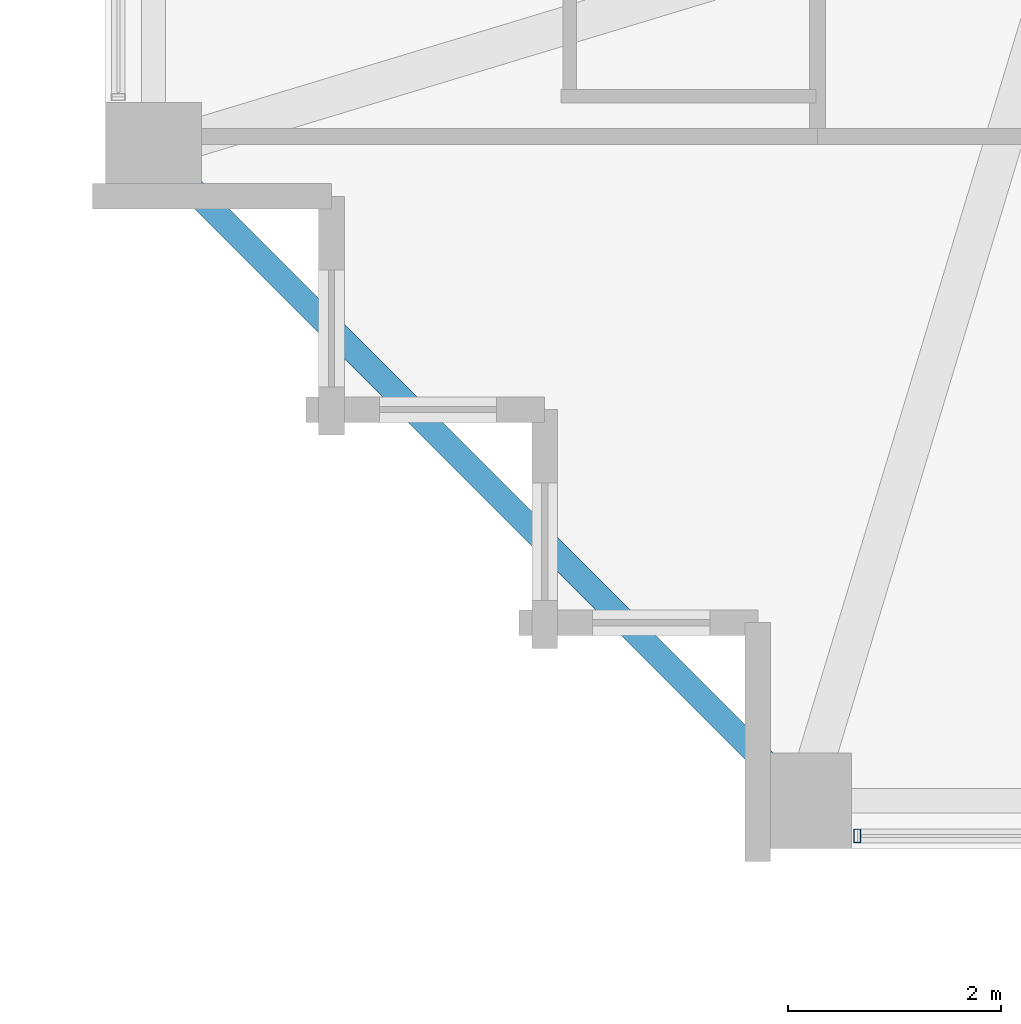
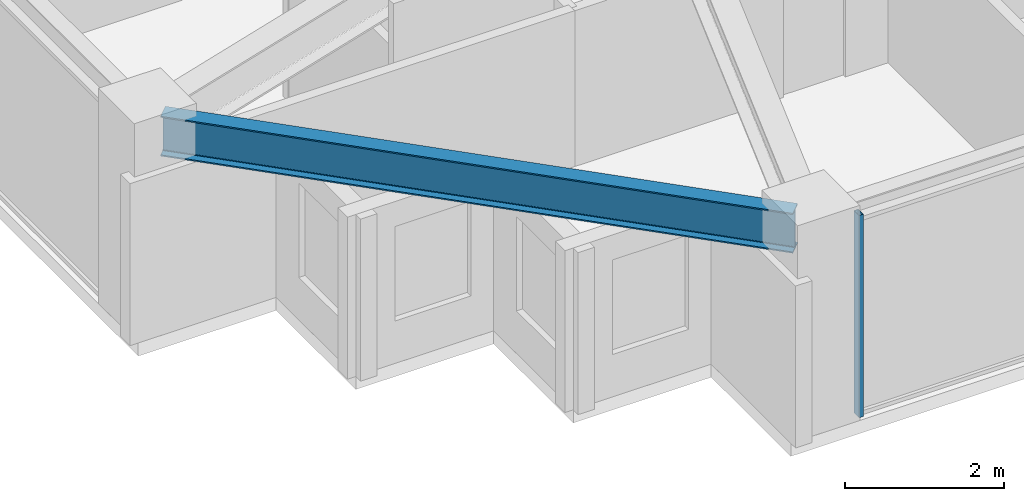
# One storey, part 2 of 32: 1 beam, 1 member, 1 element without a shape of its own.
"""IFC4 building model written with IfcOpenShell, lengths in metres."""

from ifc_helpers import new_model, si_unit, direction, frame, origin, origin_2d, place, context, subcontext, project, spatial, hollow_rectangle, i_section, extrude, material, material_profile, profile_set, type_object, element, aggregate, save


model = new_model("IFC4")

# Units and contexts
model_context = context("Model", 3, precision=1e-05, world=origin(), true_north=direction((0.0, 1.0)))
body_context = subcontext(model_context, "Body", "Model", "MODEL_VIEW")
ifc_project = project(units=[si_unit("LENGTHUNIT", "METRE"), si_unit("AREAUNIT", "SQUARE_METRE"), si_unit("VOLUMEUNIT", "CUBIC_METRE"), si_unit("PLANEANGLEUNIT", "RADIAN"), si_unit("MASSUNIT", "GRAM", prefix="KILO")], contexts=[model_context])

# Site, building, storey
site_placement = place(None, origin())
site = spatial("IfcSite", under=ifc_project, at=site_placement, CompositionType="ELEMENT")
building_placement = place(site_placement, origin())
building = spatial("IfcBuilding", under=site, at=building_placement, Name="Kolvaren Belvedere", CompositionType="ELEMENT")
storey_placement = place(building_placement, frame((0.0, 0.0, 160.199951171875)))
storey = spatial("IfcBuildingStorey", under=building, at=storey_placement, Name="L46", CompositionType="ELEMENT", Elevation=160.199951171875)

# Beam
ifc_material_1 = material(Name="Structural steel ASTM A992 Grade 50", Category="steel")
ifc_material_profile_1 = material_profile(ifc_material_1, i_section(OverallWidth=0.22900390625, OverallDepth=0.612060546875, WebThickness=0.011962890625, FlangeThickness=0.01953125, FilletRadius=0.01806640625, at=origin_2d()), Name="W24X84")
ifc_profile_set_1 = profile_set([ifc_material_profile_1], Name="Structural steel ASTM A992 Grade 50")
beam_type = type_object("IfcBeamType", Name="BM-SPAN-W24X84", PredefinedType="SPANDREL", material=ifc_profile_set_1)
beam_placement = place(storey_placement, frame((-18.5068359375, -12.693115234375, 2.7939453125), z_axis=(0.707106781187, -0.707106781187, 0.0), x_axis=(0.707106781187, 0.707106781187, 0.0)))
element("IfcBeam", 1, at=beam_placement, inside=storey, type_object=beam_type, Name="L46 Perimeter Spandrel W1-S1", PredefinedType="SPANDREL", context=body_context, shape_type="SweptSolid", body=[
    extrude(i_section(OverallWidth=0.22900390625, OverallDepth=0.612060546875, WebThickness=0.011962890625, FlangeThickness=0.01953125, FilletRadius=0.01806640625, at=origin_2d()), origin(), (0.0, 0.0, 1.0), 8.221923828125),
])

# Curtain wall, member
ifc_material_2 = material(Name="Anodised pale-metal aluminium AA 6063-T6", Category="aluminium")
curtain_wall_type = type_object("IfcCurtainWallType", Name="CW-Z3-WAIST", PredefinedType="NOTDEFINED", material=ifc_material_2)
curtain_wall_placement = place(storey_placement, origin())
curtain_wall = element("IfcCurtainWall", 2, at=curtain_wall_placement, inside=storey, type_object=curtain_wall_type, Name="L46 Unitised Curtain Wall FCW-L46-S2-B2", PredefinedType="NOTDEFINED")
ifc_material_3 = material(Name="Anodised pale-metal aluminium AA 6063-T6", Category="aluminium")
ifc_material_profile_2 = material_profile(ifc_material_3, hollow_rectangle(XDim=0.06494140625, YDim=0.1298828125, WallThickness=0.00390625, at=origin_2d()), Name="ALU-MUL-130X65")
ifc_profile_set_2 = profile_set([ifc_material_profile_2], Name="Anodised pale-metal aluminium AA 6063-T6")
member_type = type_object("IfcMemberType", Name="CW-MUL-130", PredefinedType="MULLION", material=ifc_profile_set_2)
member_placement = place(storey_placement, frame((-12.047607421875, -18.97998046875, 0.0), z_axis=(0.0, 0.0, 1.0), x_axis=(1.0, 0.0, 0.0)))
member = element("IfcMember", 3, at=member_placement, type_object=member_type, Name="FCW-L46-S2-B2 Unitised Mullion 3", PredefinedType="MULLION", context=body_context, shape_type="SweptSolid", body=[
    extrude(hollow_rectangle(XDim=0.06494140625, YDim=0.1298828125, WallThickness=0.00390625, at=origin_2d()), origin(), (0.0, 0.0, 1.0), 3.10009765625),
])
aggregate(curtain_wall, [member])

save(model, "model.ifc")
